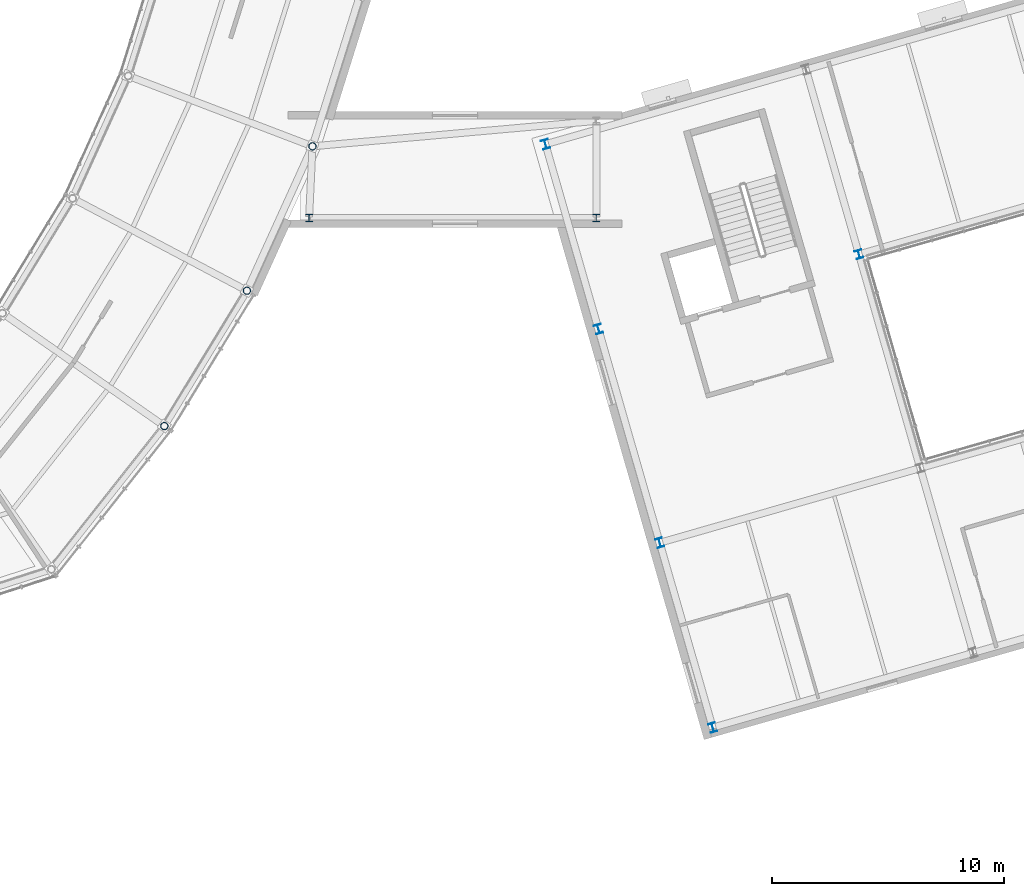
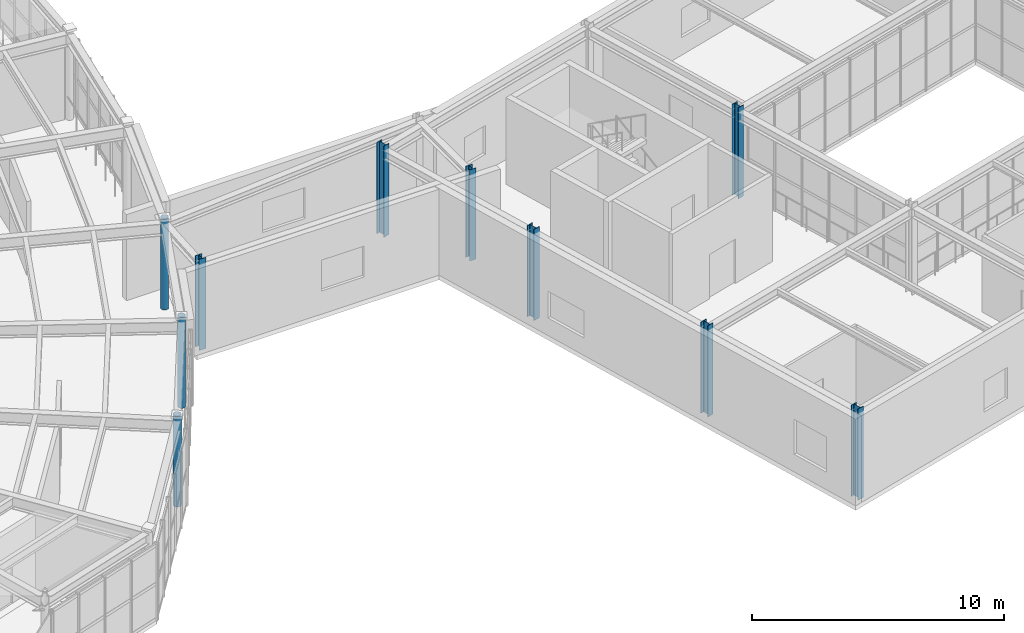
# One storey, part 6 of 103: 10 columns.
"""IFC4 building model written with IfcOpenShell, lengths in metres."""

from ifc_helpers import new_model, si_unit, direction, frame, origin, origin_2d, place, context, subcontext, project, spatial, hollow_circle, i_section, extrude, material, material_profile, profile_set, type_object, element, save


model = new_model("IFC4")

# Units and contexts
model_context = context("Model", 3, precision=1e-05, world=origin(), true_north=direction((0.0, 1.0)))
body_context = subcontext(model_context, "Body", "Model", "MODEL_VIEW")
ifc_project = project(units=[si_unit("LENGTHUNIT", "METRE"), si_unit("AREAUNIT", "SQUARE_METRE"), si_unit("VOLUMEUNIT", "CUBIC_METRE"), si_unit("PLANEANGLEUNIT", "RADIAN"), si_unit("MASSUNIT", "GRAM", prefix="KILO")], contexts=[model_context])

# Site, building, storey
site_placement = place(None, origin())
site = spatial("IfcSite", under=ifc_project, at=site_placement, CompositionType="ELEMENT")
building_placement = place(site_placement, origin())
building = spatial("IfcBuilding", under=site, at=building_placement, Name="Varnklinge Art Gallery", CompositionType="ELEMENT")
storey_placement = place(building_placement, frame((0.0, 0.0, 5.10009765625)))
storey = spatial("IfcBuildingStorey", under=building, at=storey_placement, Name="L01", CompositionType="ELEMENT", Elevation=5.10009765625)

# Columns
ifc_material_1 = material(Name="Steel S355", Category="steel")
ifc_material_profile_1 = material_profile(ifc_material_1, i_section(OverallWidth=0.300048828125, OverallDepth=0.360107421875, WebThickness=0.012451171875, FlangeThickness=0.0224609375, FilletRadius=0.027099609375, at=origin_2d()), Name="HEB 360")
ifc_profile_set_1 = profile_set([ifc_material_profile_1], Name="Steel S355")
column_type_1 = type_object("IfcColumnType", Name="COL-08", PredefinedType="COLUMN", material=ifc_profile_set_1)
column_placement = place(storey_placement, frame((131.140380859375, 30.23974609375, 0.0), z_axis=(0.0, 0.0, 1.0), x_axis=(0.961261695938, 0.275637355817, 0.0)))
element("IfcColumn", 1, at=column_placement, inside=storey, type_object=column_type_1, Name="L01 Column V6C-2-3", PredefinedType="COLUMN", context=body_context, shape_type="SweptSolid", body=[
    extrude(i_section(OverallWidth=0.300048828125, OverallDepth=0.360107421875, WebThickness=0.012451171875, FlangeThickness=0.0224609375, FilletRadius=0.027099609375, at=origin_2d()), origin(), (0.0, 0.0, 1.0), 4.419921875),
])
ifc_material_2 = material(Name="Steel S355", Category="steel")
ifc_material_profile_2 = material_profile(ifc_material_2, i_section(OverallWidth=0.300048828125, OverallDepth=0.320068359375, WebThickness=0.011474609375, FlangeThickness=0.0205078125, FilletRadius=0.027099609375, at=origin_2d()), Name="HEB 320")
ifc_profile_set_2 = profile_set([ifc_material_profile_2], Name="Steel S355")
column_type_2 = type_object("IfcColumnType", Name="COL-09", PredefinedType="COLUMN", material=ifc_profile_set_2)
for number, where, z_axis, x_axis, name in (
    (2, (107.39990234375, 31.800048828125, 0.0), (0.0, 0.0, 1.0), (1.0, 0.0, 0.0), "L01 Column LNK-V6-C1"),
    (3, (119.800048828125, 31.800048828125, 0.0), (0.0, 0.0, 1.0), (1.0, 0.0, 0.0), "L01 Column LNK-V6-C2"),
):
    element("IfcColumn", number, at=place(storey_placement, frame(where, z_axis=z_axis, x_axis=x_axis)), inside=storey, type_object=column_type_2, Name=name, PredefinedType="COLUMN", context=body_context, shape_type="SweptSolid", body=[
        extrude(i_section(OverallWidth=0.300048828125, OverallDepth=0.320068359375, WebThickness=0.011474609375, FlangeThickness=0.0205078125, FilletRadius=0.027099609375, at=origin_2d()), origin(), (0.0, 0.0, 1.0), 4.419921875),
    ])
ifc_material_3 = material(Name="Steel S355", Category="steel")
ifc_material_profile_3 = material_profile(ifc_material_3, i_section(OverallWidth=0.300048828125, OverallDepth=0.39990234375, WebThickness=0.013427734375, FlangeThickness=0.02392578125, FilletRadius=0.027099609375, at=origin_2d()), Name="HEB 400")
ifc_profile_set_3 = profile_set([ifc_material_profile_3], Name="Steel S355")
column_type_3 = type_object("IfcColumnType", Name="COL-E3", PredefinedType="COLUMN", material=ifc_profile_set_3)
for number, where, z_axis, x_axis, name in (
    (4, (124.827392578125, 9.80810546875, 0.0), (0.0, 0.0, 1.0), (0.961261695938, 0.275637355817, 0.0), "L01 Column V6C-1-1"),
    (5, (122.539794921875, 17.78662109375, 0.0), (0.0, 0.0, 1.0), (0.961261695938, 0.275637355817, 0.0), "L01 Column V6C-1-2"),
    (6, (119.8935546875, 27.014892578125, 0.0), (0.0, 0.0, 1.0), (0.961261695938, 0.275637355817, 0.0), "L01 Column V6C-1-3"),
    (7, (117.605712890625, 34.9931640625, 0.0), (0.0, 0.0, 1.0), (0.961261695938, 0.275637355817, 0.0), "L01 Column V6C-1-4"),
):
    element("IfcColumn", number, at=place(storey_placement, frame(where, z_axis=z_axis, x_axis=x_axis)), inside=storey, type_object=column_type_3, Name=name, PredefinedType="COLUMN", context=body_context, shape_type="SweptSolid", body=[
        extrude(i_section(OverallWidth=0.300048828125, OverallDepth=0.39990234375, WebThickness=0.013427734375, FlangeThickness=0.02392578125, FilletRadius=0.027099609375, at=origin_2d()), origin(), (0.0, 0.0, 1.0), 4.419921875),
    ])
ifc_material_4 = material(Name="Steel S355", Category="steel")
ifc_material_profile_4 = material_profile(ifc_material_4, hollow_circle(Radius=0.161865234375, WallThickness=0.01611328125, at=origin_2d()), Name="CHS 323.9x16")
ifc_profile_set_4 = profile_set([ifc_material_profile_4], Name="Steel S355")
column_type_4 = type_object("IfcColumnType", Name="COL-E6", PredefinedType="COLUMN", material=ifc_profile_set_4)
for number, where, z_axis, x_axis, name in (
    (8, (101.14990234375, 22.8251953125, 0.0), (0.0, 0.0, 1.0), (-0.820351542489, 0.571859551582, 0.0), "L01 Column V2CO-02"),
    (9, (104.71630859375, 28.6689453125, 0.0), (0.0, 0.0, 1.0), (-0.883683947469, 0.468084053333, 0.0), "L01 Column V2CO-03"),
    (10, (107.54638671875, 34.90283203125, 0.0), (0.0, 0.0, 1.0), (-0.934017558691, 0.357227098715, 0.0), "L01 Column V2CO-04"),
):
    element("IfcColumn", number, at=place(storey_placement, frame(where, z_axis=z_axis, x_axis=x_axis)), inside=storey, type_object=column_type_4, Name=name, PredefinedType="COLUMN", context=body_context, shape_type="SweptSolid", body=[
        extrude(hollow_circle(Radius=0.161865234375, WallThickness=0.01611328125, at=origin_2d()), origin(), (0.0, 0.0, 1.0), 4.419921875),
    ])

save(model, "model.ifc")
